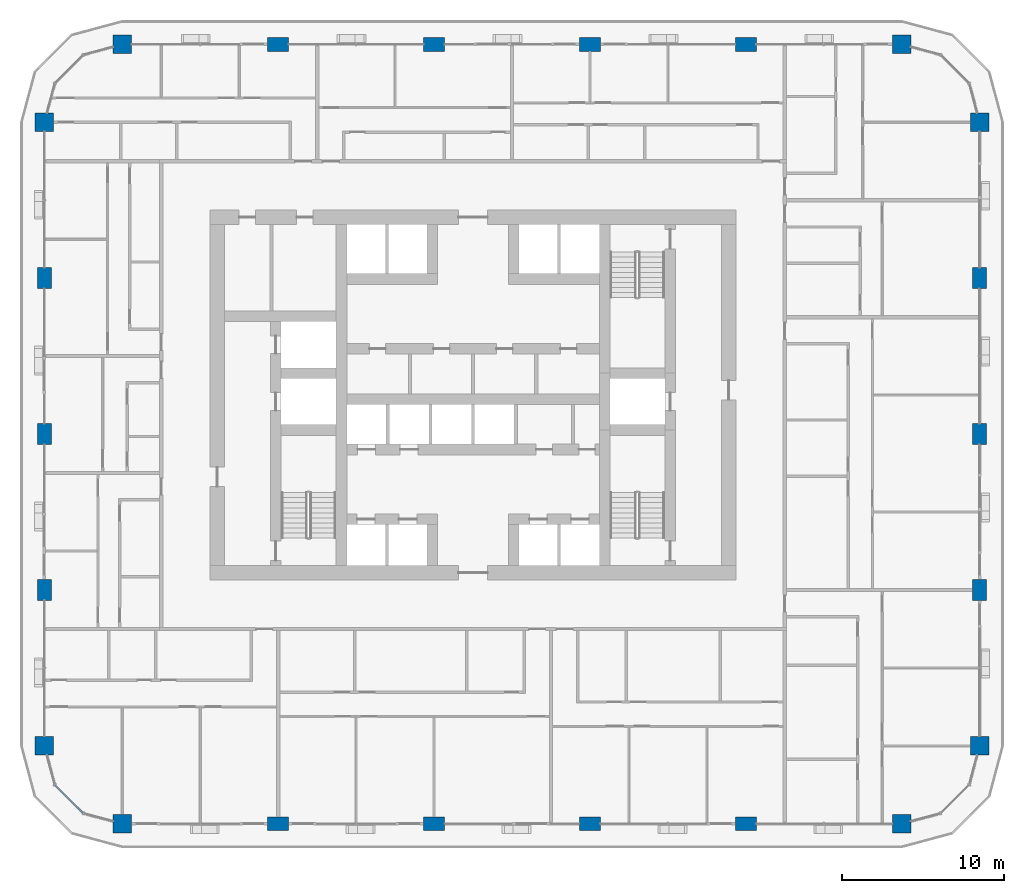
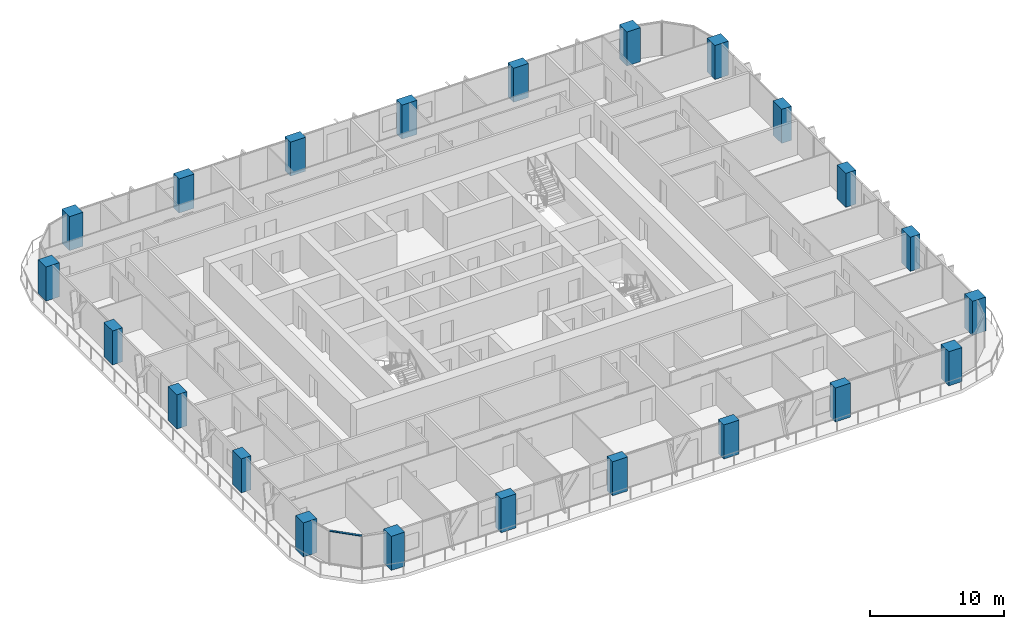
# One storey, part 1 of 21: 22 columns, 1 member, 1 element without a shape of its own.
"""IFC4 building model written with IfcOpenShell, lengths in metres."""

from ifc_helpers import new_model, si_unit, direction, frame, origin, origin_2d, place, context, subcontext, project, spatial, rectangle, extrude, material, layer, layer_set, material_profile, profile_set, type_object, element, aggregate, save


model = new_model("IFC4")

# Units and contexts
model_context = context("Model", 3, precision=1e-05, world=origin(), true_north=direction((0.0, 1.0)))
body_context = subcontext(model_context, "Body", "Model", "MODEL_VIEW")
ifc_project = project(units=[si_unit("LENGTHUNIT", "METRE"), si_unit("AREAUNIT", "SQUARE_METRE"), si_unit("VOLUMEUNIT", "CUBIC_METRE"), si_unit("PLANEANGLEUNIT", "RADIAN"), si_unit("MASSUNIT", "GRAM", prefix="KILO")], contexts=[model_context])

# Site, building, storey
site_placement = place(None, origin())
site = spatial("IfcSite", under=ifc_project, at=site_placement, CompositionType="ELEMENT")
building_placement = place(site_placement, origin())
building = spatial("IfcBuilding", under=site, at=building_placement, Name="Madar Terraces", CompositionType="ELEMENT")
storey_placement = place(building_placement, frame((0.0, 0.0, 80.300048828125)))
storey = spatial("IfcBuildingStorey", under=building, at=storey_placement, Name="L20", CompositionType="ELEMENT", Elevation=80.300048828125)

# Columns
ifc_material_1 = material(Name="Concrete C80/95", Category="concrete")
ifc_material_profile_1 = material_profile(ifc_material_1, rectangle(XDim=1.300048828125, YDim=0.85009765625, at=origin_2d()), Name="CC2 RC 1300x850")
ifc_profile_set_1 = profile_set([ifc_material_profile_1], Name="Concrete C80/95")
column_type_1 = type_object("IfcColumnType", Name="CC2 RC 1300x850", PredefinedType="COLUMN", material=ifc_profile_set_1)
for number, where, z_axis, x_axis, name in (
    (1, (19.199951171875, 0.0, 0.0), (0.0, 0.0, 1.0), (1.0, 0.0, 0.0), "Perimeter column S2"),
    (2, (28.800048828125, 0.0, 0.0), (0.0, 0.0, 1.0), (1.0, 0.0, 0.0), "Perimeter column S3"),
    (3, (38.39990234375, 0.0, 0.0), (0.0, 0.0, 1.0), (1.0, 0.0, 0.0), "Perimeter column S4"),
    (4, (48.0, 0.0, 0.0), (0.0, 0.0, 1.0), (1.0, 0.0, 0.0), "Perimeter column S5"),
    (5, (62.39990234375, 14.39990234375, 0.0), (0.0, 0.0, 1.0), (0.0, 1.0, 0.0), "Perimeter column E2"),
    (6, (62.39990234375, 24.0, 0.0), (0.0, 0.0, 1.0), (0.0, 1.0, 0.0), "Perimeter column E3"),
    (7, (62.39990234375, 33.60009765625, 0.0), (0.0, 0.0, 1.0), (0.0, 1.0, 0.0), "Perimeter column E4"),
    (8, (48.0, 48.0, 0.0), (0.0, 0.0, 1.0), (1.0, 0.0, 0.0), "Perimeter column N2"),
    (9, (38.39990234375, 48.0, 0.0), (0.0, 0.0, 1.0), (1.0, 0.0, 0.0), "Perimeter column N3"),
    (10, (28.800048828125, 48.0, 0.0), (0.0, 0.0, 1.0), (1.0, 0.0, 0.0), "Perimeter column N4"),
    (11, (19.199951171875, 48.0, 0.0), (0.0, 0.0, 1.0), (1.0, 0.0, 0.0), "Perimeter column N5"),
    (12, (4.800048828125, 33.60009765625, 0.0), (0.0, 0.0, 1.0), (0.0, 1.0, 0.0), "Perimeter column W2"),
    (13, (4.800048828125, 24.0, 0.0), (0.0, 0.0, 1.0), (0.0, 1.0, 0.0), "Perimeter column W3"),
    (14, (4.800048828125, 14.39990234375, 0.0), (0.0, 0.0, 1.0), (0.0, 1.0, 0.0), "Perimeter column W4"),
):
    element("IfcColumn", number, at=place(storey_placement, frame(where, z_axis=z_axis, x_axis=x_axis)), inside=storey, type_object=column_type_1, Name=name, PredefinedType="COLUMN", context=body_context, shape_type="SweptSolid", body=[
        extrude(rectangle(XDim=1.300048828125, YDim=0.85009765625, at=origin_2d()), origin(), (0.0, 0.0, 1.0), 3.099853515625),
    ])
ifc_material_2 = material(Name="Concrete C80/95", Category="concrete")
ifc_material_profile_2 = material_profile(ifc_material_2, rectangle(XDim=1.14990234375, YDim=1.14990234375, at=origin_2d()), Name="KC2 RC 1150x1150")
ifc_profile_set_2 = profile_set([ifc_material_profile_2], Name="Concrete C80/95")
column_type_2 = type_object("IfcColumnType", Name="KC2 RC 1150x1150", PredefinedType="COLUMN", material=ifc_profile_set_2)
for number, where, z_axis, x_axis, name in (
    (15, (9.60009765625, 0.0, 0.0), (0.0, 0.0, 1.0), (1.0, 0.0, 0.0), "Perimeter column S1"),
    (16, (57.60009765625, 0.0, 0.0), (0.0, 0.0, 1.0), (1.0, 0.0, 0.0), "Perimeter column S6"),
    (17, (62.39990234375, 4.800048828125, 0.0), (0.0, 0.0, 1.0), (1.0, 0.0, 0.0), "Perimeter column E1"),
    (18, (62.39990234375, 43.199951171875, 0.0), (0.0, 0.0, 1.0), (1.0, 0.0, 0.0), "Perimeter column E5"),
    (19, (57.60009765625, 48.0, 0.0), (0.0, 0.0, 1.0), (1.0, 0.0, 0.0), "Perimeter column N1"),
    (20, (9.60009765625, 48.0, 0.0), (0.0, 0.0, 1.0), (1.0, 0.0, 0.0), "Perimeter column N6"),
    (21, (4.800048828125, 43.199951171875, 0.0), (0.0, 0.0, 1.0), (1.0, 0.0, 0.0), "Perimeter column W1"),
    (22, (4.800048828125, 4.800048828125, 0.0), (0.0, 0.0, 1.0), (1.0, 0.0, 0.0), "Perimeter column W5"),
):
    element("IfcColumn", number, at=place(storey_placement, frame(where, z_axis=z_axis, x_axis=x_axis)), inside=storey, type_object=column_type_2, Name=name, PredefinedType="COLUMN", context=body_context, shape_type="SweptSolid", body=[
        extrude(rectangle(XDim=1.14990234375, YDim=1.14990234375, at=origin_2d()), origin(), (0.0, 0.0, 1.0), 3.099853515625),
    ])

# Curtain wall, member
ifc_material_3 = material(Name="Glass, ceramic frit dark grey, with black aluminium frame", Category="aluminium")
ifc_layer = layer(ifc_material_3, 0.199951171875)
ifc_layer_set = layer_set([ifc_layer], Name="Facade curtain wall, fritted glass")
curtain_wall_type = type_object("IfcCurtainWallType", Name="Facade curtain wall, fritted glass", PredefinedType="NOTDEFINED", material=ifc_layer_set)
curtain_wall_placement = place(storey_placement, origin())
curtain_wall = element("IfcCurtainWall", 23, at=curtain_wall_placement, inside=storey, type_object=curtain_wall_type, Name="Outer skin curtain wall south-west corner", PredefinedType="NOTDEFINED")
ifc_material_4 = material(Name="Aluminium, black anodised", Category="aluminium")
ifc_material_profile_3 = material_profile(ifc_material_4, rectangle(XDim=0.1201171875, YDim=0.06005859375, at=origin_2d()), Name="Facade transom 60x120")
ifc_profile_set_3 = profile_set([ifc_material_profile_3], Name="Aluminium, black anodised")
member_type = type_object("IfcMemberType", Name="Facade transom 60x120", PredefinedType="USERDEFINED", material=ifc_profile_set_3)
member_placement = place(storey_placement, frame((5.46435546875, 2.37890625, 3.070068359375), z_axis=(0.707056433593, -0.707157125196, 0.0), x_axis=(0.707157125196, 0.707056433593, 0.0)))
member = element("IfcMember", 24, at=member_placement, type_object=member_type, Name="Transom 2", ObjectType="TRANSOM", PredefinedType="USERDEFINED", context=body_context, shape_type="SweptSolid", body=[
    extrude(rectangle(XDim=0.1201171875, YDim=0.06005859375, at=origin_2d()), origin(), (0.0, 0.0, 1.0), 2.424560546875),
])
aggregate(curtain_wall, [member])

save(model, "model.ifc")
